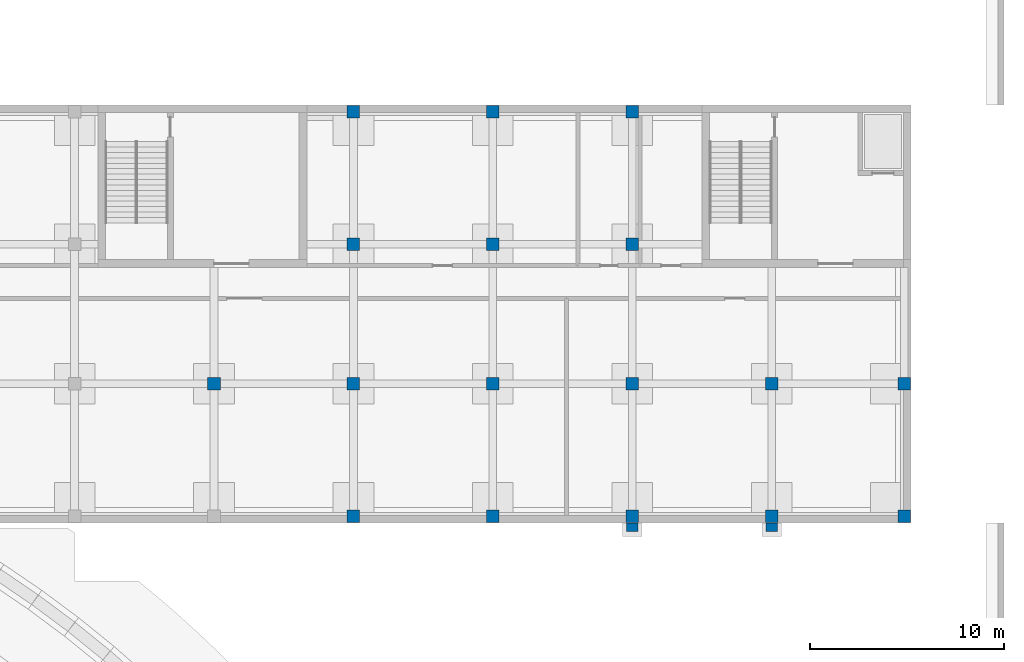
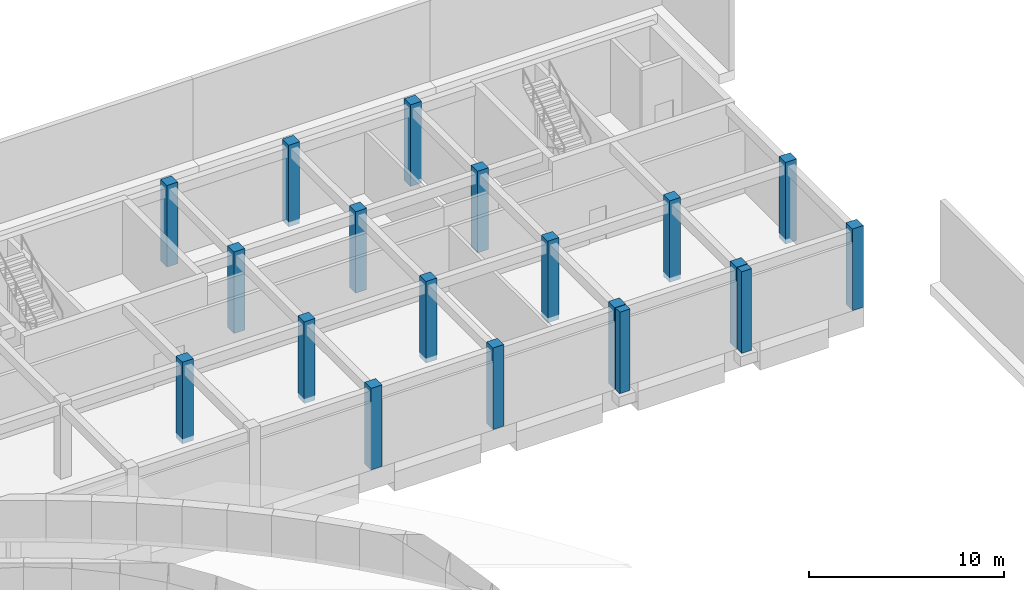
# One storey, part 19 of 73: 19 columns.
"""IFC4 building model written with IfcOpenShell, lengths in metres."""

from ifc_helpers import new_model, si_unit, direction, frame, origin, origin_2d, place, context, subcontext, project, spatial, rectangle, extrude, material, material_profile, profile_set, type_object, element, save


model = new_model("IFC4")

# Units and contexts
model_context = context("Model", 3, precision=1e-05, world=origin(), true_north=direction((0.0, 1.0)))
body_context = subcontext(model_context, "Body", "Model", "MODEL_VIEW")
ifc_project = project(units=[si_unit("LENGTHUNIT", "METRE"), si_unit("AREAUNIT", "SQUARE_METRE"), si_unit("VOLUMEUNIT", "CUBIC_METRE"), si_unit("PLANEANGLEUNIT", "RADIAN"), si_unit("MASSUNIT", "GRAM", prefix="KILO")], contexts=[model_context])

# Site, building, storey
site_placement = place(None, origin())
site = spatial("IfcSite", under=ifc_project, at=site_placement, CompositionType="ELEMENT")
building_placement = place(site_placement, origin())
building = spatial("IfcBuilding", under=site, at=building_placement, Name="Alderwick Market Hall", CompositionType="ELEMENT")
storey_placement = place(building_placement, origin())
storey = spatial("IfcBuildingStorey", under=building, at=storey_placement, Name="LG", CompositionType="ELEMENT", Elevation=0.0)

# Columns
ifc_material = material(Name="Concrete 5000 psi (f'c 35 MPa)", Category="concrete")
ifc_material_profile_1 = material_profile(ifc_material, rectangle(XDim=0.64990234375, YDim=0.64990234375, at=origin_2d()), Name="RC 650x650")
ifc_profile_set_1 = profile_set([ifc_material_profile_1], Name="Concrete 5000 psi (f'c 35 MPa)")
column_type_1 = type_object("IfcColumnType", Name="F Column RC 650x650", PredefinedType="COLUMN", material=ifc_profile_set_1)
for number, where, z_axis, x_axis, name in (
    (1, (201.60009765625, 129.949951171875, -0.300048828125), (0.0, 0.0, 1.0), (1.0, 0.0, 0.0), "F.col.LG.07"),
    (2, (208.800048828125, 129.949951171875, -0.300048828125), (0.0, 0.0, 1.0), (1.0, 0.0, 0.0), "F.col.LG.08"),
    (3, (216.0, 129.949951171875, -0.300048828125), (0.0, 0.0, 1.0), (1.0, 0.0, 0.0), "F.col.LG.09"),
    (4, (223.199951171875, 129.949951171875, -0.300048828125), (0.0, 0.0, 1.0), (1.0, 0.0, 0.0), "F.col.LG.10"),
    (5, (230.050048828125, 129.949951171875, -0.300048828125), (0.0, 0.0, 1.0), (1.0, 0.0, 0.0), "F.col.LG.11"),
    (6, (194.39990234375, 136.800048828125, -0.300048828125), (0.0, 0.0, 1.0), (1.0, 0.0, 0.0), "F.col.LG.17"),
    (7, (201.60009765625, 136.800048828125, -0.300048828125), (0.0, 0.0, 1.0), (1.0, 0.0, 0.0), "F.col.LG.18"),
    (8, (208.800048828125, 136.800048828125, -0.300048828125), (0.0, 0.0, 1.0), (1.0, 0.0, 0.0), "F.col.LG.19"),
    (9, (216.0, 136.800048828125, -0.300048828125), (0.0, 0.0, 1.0), (1.0, 0.0, 0.0), "F.col.LG.20"),
    (10, (223.199951171875, 136.800048828125, -0.300048828125), (0.0, 0.0, 1.0), (1.0, 0.0, 0.0), "F.col.LG.21"),
    (11, (230.050048828125, 136.800048828125, -0.300048828125), (0.0, 0.0, 1.0), (1.0, 0.0, 0.0), "F.col.LG.22"),
    (12, (201.60009765625, 144.0, -0.300048828125), (0.0, 0.0, 1.0), (1.0, 0.0, 0.0), "F.col.LG.26"),
    (13, (208.800048828125, 144.0, -0.300048828125), (0.0, 0.0, 1.0), (1.0, 0.0, 0.0), "F.col.LG.27"),
    (14, (216.0, 144.0, -0.300048828125), (0.0, 0.0, 1.0), (1.0, 0.0, 0.0), "F.col.LG.28"),
    (15, (201.60009765625, 150.85009765625, -0.300048828125), (0.0, 0.0, 1.0), (1.0, 0.0, 0.0), "F.col.LG.32"),
    (16, (208.800048828125, 150.85009765625, -0.300048828125), (0.0, 0.0, 1.0), (1.0, 0.0, 0.0), "F.col.LG.33"),
    (17, (216.0, 150.85009765625, -0.300048828125), (0.0, 0.0, 1.0), (1.0, 0.0, 0.0), "F.col.LG.34"),
):
    element("IfcColumn", number, at=place(storey_placement, frame(where, z_axis=z_axis, x_axis=x_axis)), inside=storey, type_object=column_type_1, Name=name, PredefinedType="COLUMN", context=body_context, shape_type="SweptSolid", body=[
        extrude(rectangle(XDim=0.64990234375, YDim=0.64990234375, at=origin_2d()), origin(), (0.0, 0.0, 1.0), 5.10009765625),
    ])
ifc_material_profile_2 = material_profile(ifc_material, rectangle(XDim=0.60009765625, YDim=0.449951171875, at=origin_2d()), Name="PC 600x450")
ifc_profile_set_2 = profile_set([ifc_material_profile_2], Name="Concrete 5000 psi (f'c 35 MPa)")
column_type_2 = type_object("IfcColumnType", Name="F Pilaster Precast Concrete 600x450", PredefinedType="PILASTER", material=ifc_profile_set_2)
for number, where, z_axis, x_axis, name in (
    (18, (216.0, 129.375, -0.300048828125), (0.0, 0.0, 1.0), (1.0, 0.0, 0.0), "F.pilaster.LG.013"),
    (19, (223.199951171875, 129.375, -0.300048828125), (0.0, 0.0, 1.0), (1.0, 0.0, 0.0), "F.pilaster.LG.017"),
):
    element("IfcColumn", number, at=place(storey_placement, frame(where, z_axis=z_axis, x_axis=x_axis)), inside=storey, type_object=column_type_2, Name=name, PredefinedType="PILASTER", context=body_context, shape_type="SweptSolid", body=[
        extrude(rectangle(XDim=0.60009765625, YDim=0.449951171875, at=origin_2d()), origin(), (0.0, 0.0, 1.0), 5.10009765625),
    ])

save(model, "model.ifc")
